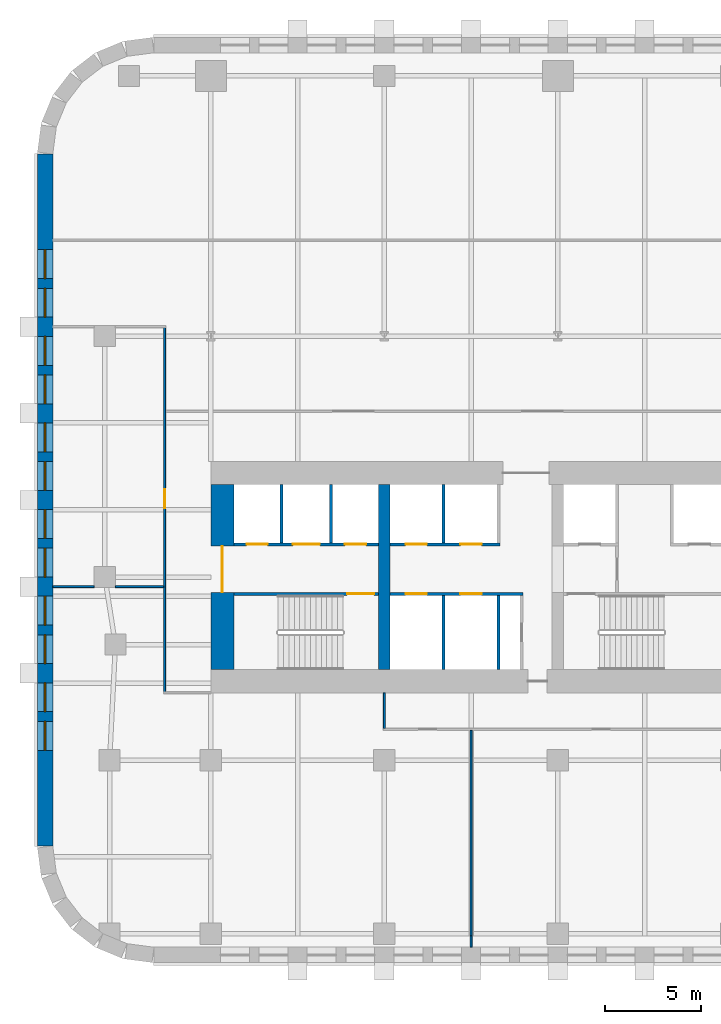
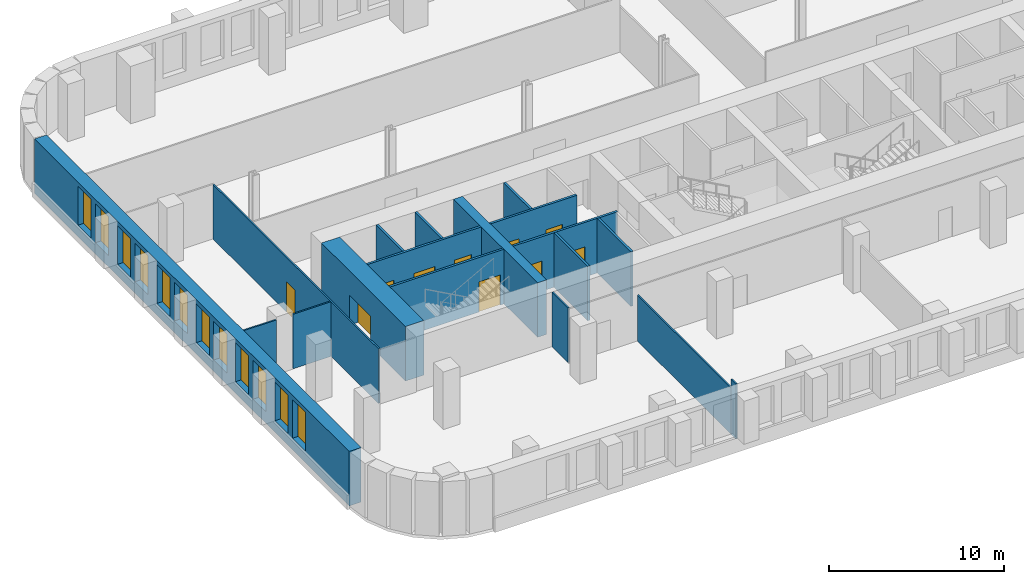
# One storey, part 3 of 11: 18 walls, 12 windows, 10 doors, 22 openings.
"""IFC4 building model written with IfcOpenShell, lengths in metres."""

from ifc_helpers import new_model, si_unit, direction, frame, frame_2d, origin, place, context, subcontext, project, spatial, rectangle, extrude, material, layer, layer_set, type_object, element, fill, save


model = new_model("IFC4")

# Units and contexts
model_context = context("Model", 3, precision=1e-05, world=origin(), true_north=direction((0.0, 1.0)))
body_context = subcontext(model_context, "Body", "Model", "MODEL_VIEW")
ifc_project = project(units=[si_unit("LENGTHUNIT", "METRE"), si_unit("AREAUNIT", "SQUARE_METRE"), si_unit("VOLUMEUNIT", "CUBIC_METRE"), si_unit("PLANEANGLEUNIT", "RADIAN"), si_unit("MASSUNIT", "GRAM", prefix="KILO")], contexts=[model_context])

# Site, building, storey
site_placement = place(None, origin())
site = spatial("IfcSite", under=ifc_project, at=site_placement, CompositionType="ELEMENT")
building_placement = place(site_placement, origin())
building = spatial("IfcBuilding", under=site, at=building_placement, Name="Zellij Exchange Tower", CompositionType="ELEMENT")
storey_placement = place(building_placement, frame((0.0, 0.0, 80.5)))
storey = spatial("IfcBuildingStorey", under=building, at=storey_placement, Name="L16", CompositionType="ELEMENT", Elevation=80.5)

# Walls
ifc_material_1 = material(Name="Concrete C70/85", Category="concrete")
ifc_layer_1 = layer(ifc_material_1, 0.60009765625)
ifc_layer_set_1 = layer_set([ifc_layer_1], Name="Concrete C70/85")
wall_type_1 = type_object("IfcWallType", Name="CORE-CW 600 C70/85", PredefinedType="SHEAR", material=ifc_layer_set_1)
wall_1_placement = place(storey_placement, frame((-18.0, -12.800048828125, 0.0), z_axis=(0.0, 0.0, 1.0), x_axis=(0.0, 1.0, 0.0)))
element("IfcWall", 1, at=wall_1_placement, inside=storey, type_object=wall_type_1, Name="Core cross wall x -18 L16", PredefinedType="SHEAR", context=body_context, shape_type="SweptSolid", body=[
    extrude(rectangle(XDim=9.60009765625, YDim=0.60009765625, at=frame_2d((4.800048828125, 0.0))), origin(), (0.0, 0.0, 1.0), 3.800048828125),
])
ifc_material_2 = material(Name="Gypsum shaft wall system")
ifc_layer_2 = layer(ifc_material_2, 0.14990234375)
ifc_layer_set_2 = layer_set([ifc_layer_2], Name="Gypsum shaft wall system")
wall_type_2 = type_object("IfcWallType", Name="CORE-PW 150 Lift shaft wall", PredefinedType="PARTITIONING", material=ifc_layer_set_2)
for number, where, z_axis, x_axis, name in (
    (2, (-20.77490234375, -6.22509765625, 0.0), (0.0, 0.0, 1.0), (0.0, 1.0, 0.0), "Lift shaft wall L16"),
    (3, (-23.324951171875, -6.22509765625, 0.0), (0.0, 0.0, 1.0), (0.0, 1.0, 0.0), "Lift shaft wall L16"),
    (4, (-14.925048828125, -6.22509765625, 0.0), (0.0, 0.0, 1.0), (0.0, 1.0, 0.0), "Lift shaft wall L16"),
):
    element("IfcWall", number, at=place(storey_placement, frame(where, z_axis=z_axis, x_axis=x_axis)), inside=storey, type_object=wall_type_2, Name=name, PredefinedType="PARTITIONING", context=body_context, shape_type="SweptSolid", body=[
        extrude(rectangle(XDim=3.025146484375, YDim=0.14990234375, at=frame_2d((1.5126953125, 0.0))), origin(), (0.0, 0.0, 1.0), 3.800048828125),
    ])
for number, where, z_axis, x_axis, name in (
    (5, (-12.074951171875, -12.800048828125, 0.0), (0.0, 0.0, 1.0), (0.0, 1.0, 0.0), "Lift shaft wall L16"),
    (6, (-14.925048828125, -12.800048828125, 0.0), (0.0, 0.0, 1.0), (0.0, 1.0, 0.0), "Lift shaft wall L16"),
):
    element("IfcWall", number, at=place(storey_placement, frame(where, z_axis=z_axis, x_axis=x_axis)), inside=storey, type_object=wall_type_2, Name=name, PredefinedType="PARTITIONING", context=body_context, shape_type="SweptSolid", body=[
        extrude(rectangle(XDim=3.85009765625, YDim=0.14990234375, at=frame_2d((1.925048828125, 0.0))), origin(), (0.0, 0.0, 1.0), 3.800048828125),
    ])

# Wall, openings, doors
wall_2_placement = place(storey_placement, frame((-25.800048828125, -6.300048828125, 0.0), z_axis=(0.0, 0.0, 1.0), x_axis=(1.0, 0.0, 0.0)))
wall_2 = element("IfcWall", 7, at=wall_2_placement, inside=storey, type_object=wall_type_2, Name="Lift shaft wall L16", PredefinedType="PARTITIONING", context=body_context, shape_type="SweptSolid", body=[
    extrude(rectangle(XDim=7.5, YDim=0.14990234375, at=frame_2d((3.75, 0.0))), origin(), (0.0, 0.0, 1.0), 3.800048828125),
])
opening_1_placement = place(wall_2_placement, frame((0.64990234375, 0.0, 0.0)))
opening_1 = element("IfcOpeningElement", 8, at=opening_1_placement, cuts=wall_2, Name="Opening CA-09.02", PredefinedType="OPENING", context=body_context, shape_type="SweptSolid", body=[
    extrude(rectangle(XDim=1.10009765625, YDim=2.10009765625, at=frame_2d((0.550048828125, 1.050048828125))), frame((0.0, 0.0869140625, 0.0), z_axis=(0.0, -1.0, 0.0), x_axis=(1.0, 0.0, 0.0)), (0.0, 0.0, 1.0), 0.173828125),
])
opening_2_placement = place(wall_2_placement, frame((3.050048828125, 0.0, 0.0)))
opening_2 = element("IfcOpeningElement", 9, at=opening_2_placement, cuts=wall_2, Name="Opening CA-09.03", PredefinedType="OPENING", context=body_context, shape_type="SweptSolid", body=[
    extrude(rectangle(XDim=1.39990234375, YDim=2.10009765625, at=frame_2d((0.699951171875, 1.050048828125))), frame((0.0, 0.0869140625, 0.0), z_axis=(0.0, -1.0, 0.0), x_axis=(1.0, 0.0, 0.0)), (0.0, 0.0, 1.0), 0.173828125),
])
opening_3_placement = place(wall_2_placement, frame((5.75, 0.0, 0.0)))
opening_3 = element("IfcOpeningElement", 10, at=opening_3_placement, cuts=wall_2, Name="Opening CA-09.04", PredefinedType="OPENING", context=body_context, shape_type="SweptSolid", body=[
    extrude(rectangle(XDim=1.10009765625, YDim=2.10009765625, at=frame_2d((0.550048828125, 1.050048828125))), frame((0.0, 0.0869140625, 0.0), z_axis=(0.0, -1.0, 0.0), x_axis=(1.0, 0.0, 0.0)), (0.0, 0.0, 1.0), 0.173828125),
])
ifc_material_3 = material(Name="Hollow metal fire door")
door_type_1 = type_object("IfcDoorType", Name="CORE-D LD Lift landing door 1100x2100 1.5 HR", OperationType="NOTDEFINED", PredefinedType="DOOR", material=ifc_material_3)
door_1_placement = place(opening_1_placement, origin())
door_1 = element("IfcDoor", 11, at=door_1_placement, inside=storey, type_object=door_type_1, Name="Lift landing door CA-09.02", OperationType="SLIDING_TO_RIGHT", OverallHeight=2.10009765625, OverallWidth=1.10009765625, PredefinedType="DOOR", context=body_context, shape_type="SweptSolid", body=[
    extrude(rectangle(XDim=1.10009765625, YDim=2.10009765625, at=frame_2d((0.550048828125, 1.050048828125))), frame((0.0, 0.02490234375, 0.0), z_axis=(0.0, -1.0, 0.0), x_axis=(1.0, 0.0, 0.0)), (0.0, 0.0, 1.0), 0.050048828125),
])
fill(opening_1, door_1)
door_2_placement = place(opening_3_placement, origin())
door_2 = element("IfcDoor", 12, at=door_2_placement, inside=storey, type_object=door_type_1, Name="Lift landing door CA-09.04", OperationType="SLIDING_TO_RIGHT", OverallHeight=2.10009765625, OverallWidth=1.10009765625, PredefinedType="DOOR", context=body_context, shape_type="SweptSolid", body=[
    extrude(rectangle(XDim=1.10009765625, YDim=2.10009765625, at=frame_2d((0.550048828125, 1.050048828125))), frame((0.0, 0.02490234375, 0.0), z_axis=(0.0, -1.0, 0.0), x_axis=(1.0, 0.0, 0.0)), (0.0, 0.0, 1.0), 0.050048828125),
])
fill(opening_3, door_2)
door_type_2 = type_object("IfcDoorType", Name="CORE-D LD2 Service lift landing door 1400x2100 1.5 HR", OperationType="NOTDEFINED", PredefinedType="DOOR", material=ifc_material_3)
door_3_placement = place(opening_2_placement, origin())
door_3 = element("IfcDoor", 13, at=door_3_placement, inside=storey, type_object=door_type_2, Name="Service lift landing door CA-09.03", OperationType="SLIDING_TO_LEFT", OverallHeight=2.10009765625, OverallWidth=1.39990234375, PredefinedType="DOOR", context=body_context, shape_type="SweptSolid", body=[
    extrude(rectangle(XDim=1.39990234375, YDim=2.10009765625, at=frame_2d((0.699951171875, 1.050048828125))), frame((0.0, 0.02490234375, 0.0), z_axis=(0.0, -1.0, 0.0), x_axis=(1.0, 0.0, 0.0)), (0.0, 0.0, 1.0), 0.050048828125),
])
fill(opening_2, door_3)

wall_3_placement = place(storey_placement, frame((-17.699951171875, -6.300048828125, 0.0), z_axis=(0.0, 0.0, 1.0), x_axis=(1.0, 0.0, 0.0)))
wall_3 = element("IfcWall", 14, at=wall_3_placement, inside=storey, type_object=wall_type_2, Name="Lift shaft wall L16", PredefinedType="PARTITIONING", context=body_context, shape_type="SweptSolid", body=[
    extrude(rectangle(XDim=5.699951171875, YDim=0.14990234375, at=frame_2d((2.85009765625, 0.0))), origin(), (0.0, 0.0, 1.0), 3.800048828125),
])
opening_4_placement = place(wall_3_placement, frame((0.800048828125, 0.0, 0.0)))
opening_4 = element("IfcOpeningElement", 15, at=opening_4_placement, cuts=wall_3, Name="Opening CA-09.07", PredefinedType="OPENING", context=body_context, shape_type="SweptSolid", body=[
    extrude(rectangle(XDim=1.10009765625, YDim=2.10009765625, at=frame_2d((0.550048828125, 1.050048828125))), frame((0.0, 0.0869140625, 0.0), z_axis=(0.0, -1.0, 0.0), x_axis=(1.0, 0.0, 0.0)), (0.0, 0.0, 1.0), 0.173828125),
])
opening_5_placement = place(wall_3_placement, frame((3.64990234375, 0.0, 0.0)))
opening_5 = element("IfcOpeningElement", 16, at=opening_5_placement, cuts=wall_3, Name="Opening CA-09.09", PredefinedType="OPENING", context=body_context, shape_type="SweptSolid", body=[
    extrude(rectangle(XDim=1.10009765625, YDim=2.10009765625, at=frame_2d((0.550048828125, 1.050048828125))), frame((0.0, 0.0869140625, 0.0), z_axis=(0.0, -1.0, 0.0), x_axis=(1.0, 0.0, 0.0)), (0.0, 0.0, 1.0), 0.173828125),
])
door_4_placement = place(opening_4_placement, origin())
door_4 = element("IfcDoor", 17, at=door_4_placement, inside=storey, type_object=door_type_1, Name="Lift landing door CA-09.07", OperationType="SLIDING_TO_LEFT", OverallHeight=2.10009765625, OverallWidth=1.10009765625, PredefinedType="DOOR", context=body_context, shape_type="SweptSolid", body=[
    extrude(rectangle(XDim=1.10009765625, YDim=2.10009765625, at=frame_2d((0.550048828125, 1.050048828125))), frame((0.0, 0.02490234375, 0.0), z_axis=(0.0, -1.0, 0.0), x_axis=(1.0, 0.0, 0.0)), (0.0, 0.0, 1.0), 0.050048828125),
])
fill(opening_4, door_4)
door_5_placement = place(opening_5_placement, origin())
door_5 = element("IfcDoor", 18, at=door_5_placement, inside=storey, type_object=door_type_1, Name="Lift landing door CA-09.09", OperationType="SLIDING_TO_LEFT", OverallHeight=2.10009765625, OverallWidth=1.10009765625, PredefinedType="DOOR", context=body_context, shape_type="SweptSolid", body=[
    extrude(rectangle(XDim=1.10009765625, YDim=2.10009765625, at=frame_2d((0.550048828125, 1.050048828125))), frame((0.0, 0.02490234375, 0.0), z_axis=(0.0, -1.0, 0.0), x_axis=(1.0, 0.0, 0.0)), (0.0, 0.0, 1.0), 0.050048828125),
])
fill(opening_5, door_5)

wall_4_placement = place(storey_placement, frame((-17.699951171875, -8.875, 0.0), z_axis=(0.0, 0.0, 1.0), x_axis=(1.0, 0.0, 0.0)))
wall_4 = element("IfcWall", 19, at=wall_4_placement, inside=storey, type_object=wall_type_2, Name="Lift shaft wall L16", PredefinedType="PARTITIONING", context=body_context, shape_type="SweptSolid", body=[
    extrude(rectangle(XDim=6.89990234375, YDim=0.14990234375, at=frame_2d((3.449951171875, 0.0))), origin(), (0.0, 0.0, 1.0), 3.800048828125),
])
opening_6_placement = place(wall_4_placement, frame((0.800048828125, 0.0, 0.0)))
opening_6 = element("IfcOpeningElement", 20, at=opening_6_placement, cuts=wall_4, Name="Opening CA-09.06", PredefinedType="OPENING", context=body_context, shape_type="SweptSolid", body=[
    extrude(rectangle(XDim=1.10009765625, YDim=2.10009765625, at=frame_2d((0.550048828125, 1.050048828125))), frame((0.0, 0.0869140625, 0.0), z_axis=(0.0, -1.0, 0.0), x_axis=(1.0, 0.0, 0.0)), (0.0, 0.0, 1.0), 0.173828125),
])
opening_7_placement = place(wall_4_placement, frame((3.64990234375, 0.0, 0.0)))
opening_7 = element("IfcOpeningElement", 21, at=opening_7_placement, cuts=wall_4, Name="Opening CA-09.08", PredefinedType="OPENING", context=body_context, shape_type="SweptSolid", body=[
    extrude(rectangle(XDim=1.10009765625, YDim=2.10009765625, at=frame_2d((0.550048828125, 1.050048828125))), frame((0.0, 0.0869140625, 0.0), z_axis=(0.0, -1.0, 0.0), x_axis=(1.0, 0.0, 0.0)), (0.0, 0.0, 1.0), 0.173828125),
])
door_6_placement = place(opening_6_placement, origin())
door_6 = element("IfcDoor", 22, at=door_6_placement, inside=storey, type_object=door_type_1, Name="Lift landing door CA-09.06", OperationType="SLIDING_TO_RIGHT", OverallHeight=2.10009765625, OverallWidth=1.10009765625, PredefinedType="DOOR", context=body_context, shape_type="SweptSolid", body=[
    extrude(rectangle(XDim=1.10009765625, YDim=2.10009765625, at=frame_2d((0.550048828125, 1.050048828125))), frame((0.0, 0.02490234375, 0.0), z_axis=(0.0, -1.0, 0.0), x_axis=(1.0, 0.0, 0.0)), (0.0, 0.0, 1.0), 0.050048828125),
])
fill(opening_6, door_6)
door_7_placement = place(opening_7_placement, origin())
door_7 = element("IfcDoor", 23, at=door_7_placement, inside=storey, type_object=door_type_1, Name="Lift landing door CA-09.08", OperationType="SLIDING_TO_RIGHT", OverallHeight=2.10009765625, OverallWidth=1.10009765625, PredefinedType="DOOR", context=body_context, shape_type="SweptSolid", body=[
    extrude(rectangle(XDim=1.10009765625, YDim=2.10009765625, at=frame_2d((0.550048828125, 1.050048828125))), frame((0.0, 0.02490234375, 0.0), z_axis=(0.0, -1.0, 0.0), x_axis=(1.0, 0.0, 0.0)), (0.0, 0.0, 1.0), 0.050048828125),
])
fill(opening_7, door_7)

# Wall, opening, door
ifc_layer_3 = layer(ifc_material_1, 1.199951171875)
ifc_layer_set_3 = layer_set([ifc_layer_3], Name="Concrete C70/85")
wall_type_3 = type_object("IfcWallType", Name="CORE-SW 1200 C70/85", PredefinedType="SHEAR", material=ifc_layer_set_3)
wall_5_placement = place(storey_placement, frame((-26.39990234375, -12.800048828125, 0.0), z_axis=(0.0, 0.0, 1.0), x_axis=(0.0, 1.0, 0.0)))
wall_5 = element("IfcWall", 24, at=wall_5_placement, inside=storey, type_object=wall_type_3, Name="Core shear wall end w L16", PredefinedType="SHEAR", context=body_context, shape_type="SweptSolid", body=[
    extrude(rectangle(XDim=9.60009765625, YDim=1.199951171875, at=frame_2d((4.800048828125, 0.0))), origin(), (0.0, 0.0, 1.0), 3.800048828125),
])
opening_8_placement = place(wall_5_placement, frame((4.011962890625, 0.0, 0.0)))
opening_8 = element("IfcOpeningElement", 25, at=opening_8_placement, cuts=wall_5, Name="Opening CA-09.01", PredefinedType="OPENING", context=body_context, shape_type="SweptSolid", body=[
    extrude(rectangle(XDim=2.39990234375, YDim=2.10009765625, at=frame_2d((1.199951171875, 1.050048828125))), frame((0.0, 0.61181640625, 0.0), z_axis=(0.0, -1.0, 0.0), x_axis=(1.0, 0.0, 0.0)), (0.0, 0.0, 1.0), 1.223876953125),
])
door_type_3 = type_object("IfcDoorType", Name="CORE-D CE Core entrance door 2400x2100 20 MIN", OperationType="NOTDEFINED", PredefinedType="DOOR", material=ifc_material_3)
door_8_placement = place(opening_8_placement, origin())
door_8 = element("IfcDoor", 26, at=door_8_placement, inside=storey, type_object=door_type_3, Name="Core entrance door CA-09.01", OperationType="DOUBLE_DOOR_SINGLE_SWING", OverallHeight=2.10009765625, OverallWidth=2.39990234375, PredefinedType="DOOR", context=body_context, shape_type="SweptSolid", body=[
    extrude(rectangle(XDim=2.39990234375, YDim=2.10009765625, at=frame_2d((1.199951171875, 1.050048828125))), frame((0.0, 0.02490234375, 0.0), z_axis=(0.0, -1.0, 0.0), x_axis=(1.0, 0.0, 0.0)), (0.0, 0.0, 1.0), 0.050048828125),
])
fill(opening_8, door_8)

ifc_layer_4 = layer(ifc_material_1, 0.14990234375)
ifc_layer_set_4 = layer_set([ifc_layer_4], Name="Concrete C70/85")
wall_type_4 = type_object("IfcWallType", Name="CORE-SWS 150 C70/85", PredefinedType="SHEAR", material=ifc_layer_set_4)
wall_6_placement = place(storey_placement, frame((-25.800048828125, -8.875, 0.0), z_axis=(0.0, 0.0, 1.0), x_axis=(1.0, 0.0, 0.0)))
wall_6 = element("IfcWall", 27, at=wall_6_placement, inside=storey, type_object=wall_type_4, Name="Stair enclosure wall L16", PredefinedType="SHEAR", context=body_context, shape_type="SweptSolid", body=[
    extrude(rectangle(XDim=7.5, YDim=0.14990234375, at=frame_2d((3.75, 0.0))), origin(), (0.0, 0.0, 1.0), 3.800048828125),
])
opening_9_placement = place(wall_6_placement, frame((5.875, 0.0, 0.0)))
opening_9 = element("IfcOpeningElement", 28, at=opening_9_placement, cuts=wall_6, Name="Opening CA-09.05", PredefinedType="OPENING", context=body_context, shape_type="SweptSolid", body=[
    extrude(rectangle(XDim=1.39990234375, YDim=2.10009765625, at=frame_2d((0.699951171875, 1.050048828125))), frame((0.0, 0.0869140625, 0.0), z_axis=(0.0, -1.0, 0.0), x_axis=(1.0, 0.0, 0.0)), (0.0, 0.0, 1.0), 0.173828125),
])
door_type_4 = type_object("IfcDoorType", Name="CORE-D SD Stair door 1400x2100 1.5 HR", OperationType="NOTDEFINED", PredefinedType="DOOR", material=ifc_material_3)
door_9_placement = place(opening_9_placement, origin())
door_9 = element("IfcDoor", 29, at=door_9_placement, inside=storey, type_object=door_type_4, Name="Stair door CA-09.05", OperationType="DOUBLE_DOOR_SINGLE_SWING", OverallHeight=2.10009765625, OverallWidth=1.39990234375, PredefinedType="DOOR", context=body_context, shape_type="SweptSolid", body=[
    extrude(rectangle(XDim=1.39990234375, YDim=2.10009765625, at=frame_2d((0.699951171875, 1.050048828125))), frame((0.0, 0.02490234375, 0.0), z_axis=(0.0, -1.0, 0.0), x_axis=(1.0, 0.0, 0.0)), (0.0, 0.0, 1.0), 0.050048828125),
])
fill(opening_9, door_9)

# Wall, openings, windows
ifc_material_4 = material(Name="Precast concrete C40/50", Category="concrete")
ifc_layer_5 = layer(ifc_material_4, 0.800048828125)
ifc_layer_set_5 = layer_set([ifc_layer_5], Name="Precast concrete C40/50")
wall_type_5 = type_object("IfcWallType", Name="ENV-EW1 Precast stone-piered wall 800", PredefinedType="SOLIDWALL", material=ifc_layer_set_5)
wall_7_placement = place(storey_placement, frame((-35.60009765625, 13.947509765625, 0.0), z_axis=(0.0, 0.0, 1.0), x_axis=(0.0, -1.0, 0.0)))
wall_7 = element("IfcWall", 30, at=wall_7_placement, inside=storey, type_object=wall_type_5, Name="fac.L16.21", PredefinedType="SOLIDWALL", context=body_context, shape_type="SweptSolid", body=[
    extrude(rectangle(XDim=35.89501953125, YDim=0.800048828125, at=frame_2d((17.947509765625, 0.0))), origin(), (0.0, 0.0, 1.0), 3.800048828125),
])
opening_10_placement = place(wall_7_placement, frame((4.9638671875, 0.0, 0.800048828125)))
opening_10 = element("IfcOpeningElement", 31, at=opening_10_placement, cuts=wall_7, Name="Opening FZ1.61", PredefinedType="OPENING", context=body_context, shape_type="SweptSolid", body=[
    extrude(rectangle(XDim=1.5, YDim=2.699951171875, at=frame_2d((0.75, 1.35009765625))), frame((0.0, 0.412109375, 0.0), z_axis=(0.0, -1.0, 0.0), x_axis=(1.0, 0.0, 0.0)), (0.0, 0.0, 1.0), 0.823974609375),
])
opening_11_placement = place(wall_7_placement, frame((6.9638671875, 0.0, 0.800048828125)))
opening_11 = element("IfcOpeningElement", 32, at=opening_11_placement, cuts=wall_7, Name="Opening FZ1.62", PredefinedType="OPENING", context=body_context, shape_type="SweptSolid", body=[
    extrude(rectangle(XDim=1.5, YDim=2.699951171875, at=frame_2d((0.75, 1.35009765625))), frame((0.0, 0.412109375, 0.0), z_axis=(0.0, -1.0, 0.0), x_axis=(1.0, 0.0, 0.0)), (0.0, 0.0, 1.0), 0.823974609375),
])
opening_12_placement = place(wall_7_placement, frame((9.45751953125, 0.0, 0.800048828125)))
opening_12 = element("IfcOpeningElement", 33, at=opening_12_placement, cuts=wall_7, Name="Opening FZ1.63", PredefinedType="OPENING", context=body_context, shape_type="SweptSolid", body=[
    extrude(rectangle(XDim=1.5, YDim=2.699951171875, at=frame_2d((0.75, 1.35009765625))), frame((0.0, 0.412109375, 0.0), z_axis=(0.0, -1.0, 0.0), x_axis=(1.0, 0.0, 0.0)), (0.0, 0.0, 1.0), 0.823974609375),
])
opening_13_placement = place(wall_7_placement, frame((11.45751953125, 0.0, 0.800048828125)))
opening_13 = element("IfcOpeningElement", 34, at=opening_13_placement, cuts=wall_7, Name="Opening FZ1.64", PredefinedType="OPENING", context=body_context, shape_type="SweptSolid", body=[
    extrude(rectangle(XDim=1.5, YDim=2.699951171875, at=frame_2d((0.75, 1.35009765625))), frame((0.0, 0.412109375, 0.0), z_axis=(0.0, -1.0, 0.0), x_axis=(1.0, 0.0, 0.0)), (0.0, 0.0, 1.0), 0.823974609375),
])
opening_14_placement = place(wall_7_placement, frame((13.950927734375, 0.0, 0.800048828125)))
opening_14 = element("IfcOpeningElement", 35, at=opening_14_placement, cuts=wall_7, Name="Opening FZ1.65", PredefinedType="OPENING", context=body_context, shape_type="SweptSolid", body=[
    extrude(rectangle(XDim=1.5, YDim=2.699951171875, at=frame_2d((0.75, 1.35009765625))), frame((0.0, 0.412109375, 0.0), z_axis=(0.0, -1.0, 0.0), x_axis=(1.0, 0.0, 0.0)), (0.0, 0.0, 1.0), 0.823974609375),
])
opening_15_placement = place(wall_7_placement, frame((15.95068359375, 0.0, 0.800048828125)))
opening_15 = element("IfcOpeningElement", 36, at=opening_15_placement, cuts=wall_7, Name="Opening FZ1.66", PredefinedType="OPENING", context=body_context, shape_type="SweptSolid", body=[
    extrude(rectangle(XDim=1.5, YDim=2.699951171875, at=frame_2d((0.75, 1.35009765625))), frame((0.0, 0.412109375, 0.0), z_axis=(0.0, -1.0, 0.0), x_axis=(1.0, 0.0, 0.0)), (0.0, 0.0, 1.0), 0.823974609375),
])
opening_16_placement = place(wall_7_placement, frame((18.4443359375, 0.0, 0.800048828125)))
opening_16 = element("IfcOpeningElement", 37, at=opening_16_placement, cuts=wall_7, Name="Opening FZ1.67", PredefinedType="OPENING", context=body_context, shape_type="SweptSolid", body=[
    extrude(rectangle(XDim=1.5, YDim=2.699951171875, at=frame_2d((0.75, 1.35009765625))), frame((0.0, 0.412109375, 0.0), z_axis=(0.0, -1.0, 0.0), x_axis=(1.0, 0.0, 0.0)), (0.0, 0.0, 1.0), 0.823974609375),
])
opening_17_placement = place(wall_7_placement, frame((20.4443359375, 0.0, 0.800048828125)))
opening_17 = element("IfcOpeningElement", 38, at=opening_17_placement, cuts=wall_7, Name="Opening FZ1.68", PredefinedType="OPENING", context=body_context, shape_type="SweptSolid", body=[
    extrude(rectangle(XDim=1.5, YDim=2.699951171875, at=frame_2d((0.75, 1.35009765625))), frame((0.0, 0.412109375, 0.0), z_axis=(0.0, -1.0, 0.0), x_axis=(1.0, 0.0, 0.0)), (0.0, 0.0, 1.0), 0.823974609375),
])
opening_18_placement = place(wall_7_placement, frame((22.937744140625, 0.0, 0.800048828125)))
opening_18 = element("IfcOpeningElement", 39, at=opening_18_placement, cuts=wall_7, Name="Opening FZ1.69", PredefinedType="OPENING", context=body_context, shape_type="SweptSolid", body=[
    extrude(rectangle(XDim=1.5, YDim=2.699951171875, at=frame_2d((0.75, 1.35009765625))), frame((0.0, 0.412109375, 0.0), z_axis=(0.0, -1.0, 0.0), x_axis=(1.0, 0.0, 0.0)), (0.0, 0.0, 1.0), 0.823974609375),
])
opening_19_placement = place(wall_7_placement, frame((24.937744140625, 0.0, 0.800048828125)))
opening_19 = element("IfcOpeningElement", 40, at=opening_19_placement, cuts=wall_7, Name="Opening FZ1.70", PredefinedType="OPENING", context=body_context, shape_type="SweptSolid", body=[
    extrude(rectangle(XDim=1.5, YDim=2.699951171875, at=frame_2d((0.75, 1.35009765625))), frame((0.0, 0.412109375, 0.0), z_axis=(0.0, -1.0, 0.0), x_axis=(1.0, 0.0, 0.0)), (0.0, 0.0, 1.0), 0.823974609375),
])
opening_20_placement = place(wall_7_placement, frame((27.43115234375, 0.0, 0.800048828125)))
opening_20 = element("IfcOpeningElement", 41, at=opening_20_placement, cuts=wall_7, Name="Opening FZ1.71", PredefinedType="OPENING", context=body_context, shape_type="SweptSolid", body=[
    extrude(rectangle(XDim=1.5, YDim=2.699951171875, at=frame_2d((0.75, 1.35009765625))), frame((0.0, 0.412109375, 0.0), z_axis=(0.0, -1.0, 0.0), x_axis=(1.0, 0.0, 0.0)), (0.0, 0.0, 1.0), 0.823974609375),
])
opening_21_placement = place(wall_7_placement, frame((29.43115234375, 0.0, 0.800048828125)))
opening_21 = element("IfcOpeningElement", 42, at=opening_21_placement, cuts=wall_7, Name="Opening FZ1.72", PredefinedType="OPENING", context=body_context, shape_type="SweptSolid", body=[
    extrude(rectangle(XDim=1.5, YDim=2.699951171875, at=frame_2d((0.75, 1.35009765625))), frame((0.0, 0.412109375, 0.0), z_axis=(0.0, -1.0, 0.0), x_axis=(1.0, 0.0, 0.0)), (0.0, 0.0, 1.0), 0.823974609375),
])
ifc_material_5 = material(Name="Aluminium frame with insulating glass", Category="aluminium")
window_type = type_object("IfcWindowType", Name="ENV-W6 Window 1500x2700", PartitioningType="SINGLE_PANEL", PredefinedType="WINDOW", material=ifc_material_5)
window_1_placement = place(opening_10_placement, origin())
window_1 = element("IfcWindow", 43, at=window_1_placement, inside=storey, type_object=window_type, Name="Window FZ1.61", OverallHeight=2.699951171875, OverallWidth=1.5, PartitioningType="SINGLE_PANEL", PredefinedType="WINDOW", context=body_context, shape_type="SweptSolid", body=[
    extrude(rectangle(XDim=1.5, YDim=2.699951171875, at=frame_2d((0.75, 1.35009765625))), frame((0.0, 0.030029296875, 0.0), z_axis=(0.0, -1.0, 0.0), x_axis=(1.0, 0.0, 0.0)), (0.0, 0.0, 1.0), 0.06005859375),
])
fill(opening_10, window_1)
window_2_placement = place(opening_11_placement, origin())
window_2 = element("IfcWindow", 44, at=window_2_placement, inside=storey, type_object=window_type, Name="Window FZ1.62", OverallHeight=2.699951171875, OverallWidth=1.5, PartitioningType="SINGLE_PANEL", PredefinedType="WINDOW", context=body_context, shape_type="SweptSolid", body=[
    extrude(rectangle(XDim=1.5, YDim=2.699951171875, at=frame_2d((0.75, 1.35009765625))), frame((0.0, 0.030029296875, 0.0), z_axis=(0.0, -1.0, 0.0), x_axis=(1.0, 0.0, 0.0)), (0.0, 0.0, 1.0), 0.06005859375),
])
fill(opening_11, window_2)
window_3_placement = place(opening_12_placement, origin())
window_3 = element("IfcWindow", 45, at=window_3_placement, inside=storey, type_object=window_type, Name="Window FZ1.63", OverallHeight=2.699951171875, OverallWidth=1.5, PartitioningType="SINGLE_PANEL", PredefinedType="WINDOW", context=body_context, shape_type="SweptSolid", body=[
    extrude(rectangle(XDim=1.5, YDim=2.699951171875, at=frame_2d((0.75, 1.35009765625))), frame((0.0, 0.030029296875, 0.0), z_axis=(0.0, -1.0, 0.0), x_axis=(1.0, 0.0, 0.0)), (0.0, 0.0, 1.0), 0.06005859375),
])
fill(opening_12, window_3)
window_4_placement = place(opening_13_placement, origin())
window_4 = element("IfcWindow", 46, at=window_4_placement, inside=storey, type_object=window_type, Name="Window FZ1.64", OverallHeight=2.699951171875, OverallWidth=1.5, PartitioningType="SINGLE_PANEL", PredefinedType="WINDOW", context=body_context, shape_type="SweptSolid", body=[
    extrude(rectangle(XDim=1.5, YDim=2.699951171875, at=frame_2d((0.75, 1.35009765625))), frame((0.0, 0.030029296875, 0.0), z_axis=(0.0, -1.0, 0.0), x_axis=(1.0, 0.0, 0.0)), (0.0, 0.0, 1.0), 0.06005859375),
])
fill(opening_13, window_4)
window_5_placement = place(opening_14_placement, origin())
window_5 = element("IfcWindow", 47, at=window_5_placement, inside=storey, type_object=window_type, Name="Window FZ1.65", OverallHeight=2.699951171875, OverallWidth=1.5, PartitioningType="SINGLE_PANEL", PredefinedType="WINDOW", context=body_context, shape_type="SweptSolid", body=[
    extrude(rectangle(XDim=1.5, YDim=2.699951171875, at=frame_2d((0.75, 1.35009765625))), frame((0.0, 0.030029296875, 0.0), z_axis=(0.0, -1.0, 0.0), x_axis=(1.0, 0.0, 0.0)), (0.0, 0.0, 1.0), 0.06005859375),
])
fill(opening_14, window_5)
window_6_placement = place(opening_15_placement, origin())
window_6 = element("IfcWindow", 48, at=window_6_placement, inside=storey, type_object=window_type, Name="Window FZ1.66", OverallHeight=2.699951171875, OverallWidth=1.5, PartitioningType="SINGLE_PANEL", PredefinedType="WINDOW", context=body_context, shape_type="SweptSolid", body=[
    extrude(rectangle(XDim=1.5, YDim=2.699951171875, at=frame_2d((0.75, 1.35009765625))), frame((0.0, 0.030029296875, 0.0), z_axis=(0.0, -1.0, 0.0), x_axis=(1.0, 0.0, 0.0)), (0.0, 0.0, 1.0), 0.06005859375),
])
fill(opening_15, window_6)
window_7_placement = place(opening_16_placement, origin())
window_7 = element("IfcWindow", 49, at=window_7_placement, inside=storey, type_object=window_type, Name="Window FZ1.67", OverallHeight=2.699951171875, OverallWidth=1.5, PartitioningType="SINGLE_PANEL", PredefinedType="WINDOW", context=body_context, shape_type="SweptSolid", body=[
    extrude(rectangle(XDim=1.5, YDim=2.699951171875, at=frame_2d((0.75, 1.35009765625))), frame((0.0, 0.030029296875, 0.0), z_axis=(0.0, -1.0, 0.0), x_axis=(1.0, 0.0, 0.0)), (0.0, 0.0, 1.0), 0.06005859375),
])
fill(opening_16, window_7)
window_8_placement = place(opening_17_placement, origin())
window_8 = element("IfcWindow", 50, at=window_8_placement, inside=storey, type_object=window_type, Name="Window FZ1.68", OverallHeight=2.699951171875, OverallWidth=1.5, PartitioningType="SINGLE_PANEL", PredefinedType="WINDOW", context=body_context, shape_type="SweptSolid", body=[
    extrude(rectangle(XDim=1.5, YDim=2.699951171875, at=frame_2d((0.75, 1.35009765625))), frame((0.0, 0.030029296875, 0.0), z_axis=(0.0, -1.0, 0.0), x_axis=(1.0, 0.0, 0.0)), (0.0, 0.0, 1.0), 0.06005859375),
])
fill(opening_17, window_8)
window_9_placement = place(opening_18_placement, origin())
window_9 = element("IfcWindow", 51, at=window_9_placement, inside=storey, type_object=window_type, Name="Window FZ1.69", OverallHeight=2.699951171875, OverallWidth=1.5, PartitioningType="SINGLE_PANEL", PredefinedType="WINDOW", context=body_context, shape_type="SweptSolid", body=[
    extrude(rectangle(XDim=1.5, YDim=2.699951171875, at=frame_2d((0.75, 1.35009765625))), frame((0.0, 0.030029296875, 0.0), z_axis=(0.0, -1.0, 0.0), x_axis=(1.0, 0.0, 0.0)), (0.0, 0.0, 1.0), 0.06005859375),
])
fill(opening_18, window_9)
window_10_placement = place(opening_19_placement, origin())
window_10 = element("IfcWindow", 52, at=window_10_placement, inside=storey, type_object=window_type, Name="Window FZ1.70", OverallHeight=2.699951171875, OverallWidth=1.5, PartitioningType="SINGLE_PANEL", PredefinedType="WINDOW", context=body_context, shape_type="SweptSolid", body=[
    extrude(rectangle(XDim=1.5, YDim=2.699951171875, at=frame_2d((0.75, 1.35009765625))), frame((0.0, 0.030029296875, 0.0), z_axis=(0.0, -1.0, 0.0), x_axis=(1.0, 0.0, 0.0)), (0.0, 0.0, 1.0), 0.06005859375),
])
fill(opening_19, window_10)
window_11_placement = place(opening_20_placement, origin())
window_11 = element("IfcWindow", 53, at=window_11_placement, inside=storey, type_object=window_type, Name="Window FZ1.71", OverallHeight=2.699951171875, OverallWidth=1.5, PartitioningType="SINGLE_PANEL", PredefinedType="WINDOW", context=body_context, shape_type="SweptSolid", body=[
    extrude(rectangle(XDim=1.5, YDim=2.699951171875, at=frame_2d((0.75, 1.35009765625))), frame((0.0, 0.030029296875, 0.0), z_axis=(0.0, -1.0, 0.0), x_axis=(1.0, 0.0, 0.0)), (0.0, 0.0, 1.0), 0.06005859375),
])
fill(opening_20, window_11)
window_12_placement = place(opening_21_placement, origin())
window_12 = element("IfcWindow", 54, at=window_12_placement, inside=storey, type_object=window_type, Name="Window FZ1.72", OverallHeight=2.699951171875, OverallWidth=1.5, PartitioningType="SINGLE_PANEL", PredefinedType="WINDOW", context=body_context, shape_type="SweptSolid", body=[
    extrude(rectangle(XDim=1.5, YDim=2.699951171875, at=frame_2d((0.75, 1.35009765625))), frame((0.0, 0.030029296875, 0.0), z_axis=(0.0, -1.0, 0.0), x_axis=(1.0, 0.0, 0.0)), (0.0, 0.0, 1.0), 0.06005859375),
])
fill(opening_21, window_12)

# Walls
ifc_material_6 = material(Name="Gypsum board partition on steel studs", Category="steel")
ifc_layer_6 = layer(ifc_material_6, 0.10009765625)
ifc_layer_set_6 = layer_set([ifc_layer_6], Name="Gypsum board partition on steel studs")
wall_type_6 = type_object("IfcWallType", Name="FIT-PARTITION-100", PredefinedType="PARTITIONING", material=ifc_layer_set_6)
wall_8_placement = place(storey_placement, frame((-13.5, -27.199951171875, 0.0), z_axis=(0.0, 0.0, 1.0), x_axis=(0.0, 1.0, 0.0)))
element("IfcWall", 55, at=wall_8_placement, inside=storey, type_object=wall_type_6, Name="FIT-PARTITION-100 001", PredefinedType="PARTITIONING", context=body_context, shape_type="SweptSolid", body=[
    extrude(rectangle(XDim=0.58544921875, YDim=0.10009765625, at=frame_2d((0.292724609375, 0.0))), origin(), (0.0, 0.0, 1.0), 3.800048828125),
])
wall_9_placement = place(storey_placement, frame((-13.5, -26.614501953125, 0.0), z_axis=(0.0, 0.0, 1.0), x_axis=(0.0, 1.0, 0.0)))
element("IfcWall", 56, at=wall_9_placement, inside=storey, type_object=wall_type_6, Name="FIT-PARTITION-100 002", PredefinedType="PARTITIONING", context=body_context, shape_type="SweptSolid", body=[
    extrude(rectangle(XDim=10.66455078125, YDim=0.10009765625, at=frame_2d((5.332275390625, 0.0))), origin(), (0.0, 0.0, 1.0), 3.197998046875),
])
wall_10_placement = place(storey_placement, frame((-18.0, -15.85009765625, 0.0), z_axis=(0.0, 0.0, 1.0), x_axis=(0.0, 1.0, 0.0)))
element("IfcWall", 57, at=wall_10_placement, inside=storey, type_object=wall_type_6, Name="FIT-PARTITION-100 008", PredefinedType="PARTITIONING", context=body_context, shape_type="SweptSolid", body=[
    extrude(rectangle(XDim=1.85009765625, YDim=0.10009765625, at=frame_2d((0.925048828125, 0.0))), origin(), (0.0, 0.0, 1.0), 3.800048828125),
])

# Wall, opening, door
wall_11_placement = place(storey_placement, frame((-29.39990234375, -13.949951171875, 0.0), z_axis=(0.0, 0.0, 1.0), x_axis=(0.0, 1.0, 0.0)))
wall_11 = element("IfcWall", 58, at=wall_11_placement, inside=storey, type_object=wall_type_6, Name="FIT-PARTITION-100 011", PredefinedType="PARTITIONING", context=body_context, shape_type="SweptSolid", body=[
    extrude(rectangle(XDim=18.889892578125, YDim=0.10009765625, at=frame_2d((9.44482421875, 0.0))), origin(), (0.0, 0.0, 1.0), 3.800048828125),
])
opening_22_placement = place(wall_11_placement, frame((9.510009765625, 0.0, 0.0)))
opening_22 = element("IfcOpeningElement", 59, at=opening_22_placement, cuts=wall_11, Name="Opening TC.06", PredefinedType="OPENING", context=body_context, shape_type="SweptSolid", body=[
    extrude(rectangle(XDim=1.0, YDim=2.10009765625, at=frame_2d((0.5, 1.050048828125))), frame((0.0, 0.06201171875, 0.0), z_axis=(0.0, -1.0, 0.0), x_axis=(1.0, 0.0, 0.0)), (0.0, 0.0, 1.0), 0.1240234375),
])
ifc_material_7 = material(Name="Timber door set", Category="wood")
door_type_5 = type_object("IfcDoorType", Name="FIT-D2-WIDE-1000X2100", OperationType="SINGLE_SWING_LEFT", PredefinedType="DOOR", material=ifc_material_7)
door_10_placement = place(opening_22_placement, origin())
door_10 = element("IfcDoor", 60, at=door_10_placement, inside=storey, type_object=door_type_5, Name="Door TC.06", OperationType="SINGLE_SWING_LEFT", OverallHeight=2.10009765625, OverallWidth=1.0, PredefinedType="DOOR", context=body_context, shape_type="SweptSolid", body=[
    extrude(rectangle(XDim=1.0, YDim=2.10009765625, at=frame_2d((0.5, 1.050048828125))), frame((0.0, 0.02490234375, 0.0), z_axis=(0.0, -1.0, 0.0), x_axis=(1.0, 0.0, 0.0)), (0.0, 0.0, 1.0), 0.050048828125),
])
fill(opening_22, door_10)

# Walls
wall_12_placement = place(storey_placement, frame((-35.199951171875, -8.489990234375, 0.0), z_axis=(0.0, 0.0, 1.0), x_axis=(1.0, 0.0, 0.0)))
element("IfcWall", 61, at=wall_12_placement, inside=storey, type_object=wall_type_6, Name="FIT-PARTITION-100 014", PredefinedType="PARTITIONING", context=body_context, shape_type="SweptSolid", body=[
    extrude(rectangle(XDim=2.14990234375, YDim=0.10009765625, at=frame_2d((1.074951171875, 0.0))), origin(), (0.0, 0.0, 1.0), 3.800048828125),
])
wall_13_placement = place(storey_placement, frame((-31.949951171875, -8.489990234375, 0.0), z_axis=(0.0, 0.0, 1.0), x_axis=(1.0, 0.0, 0.0)))
element("IfcWall", 62, at=wall_13_placement, inside=storey, type_object=wall_type_6, Name="FIT-PARTITION-100 015", PredefinedType="PARTITIONING", context=body_context, shape_type="SweptSolid", body=[
    extrude(rectangle(XDim=2.5, YDim=0.10009765625, at=frame_2d((1.25, 0.0))), origin(), (0.0, 0.0, 1.0), 3.800048828125),
])

save(model, "model.ifc")
